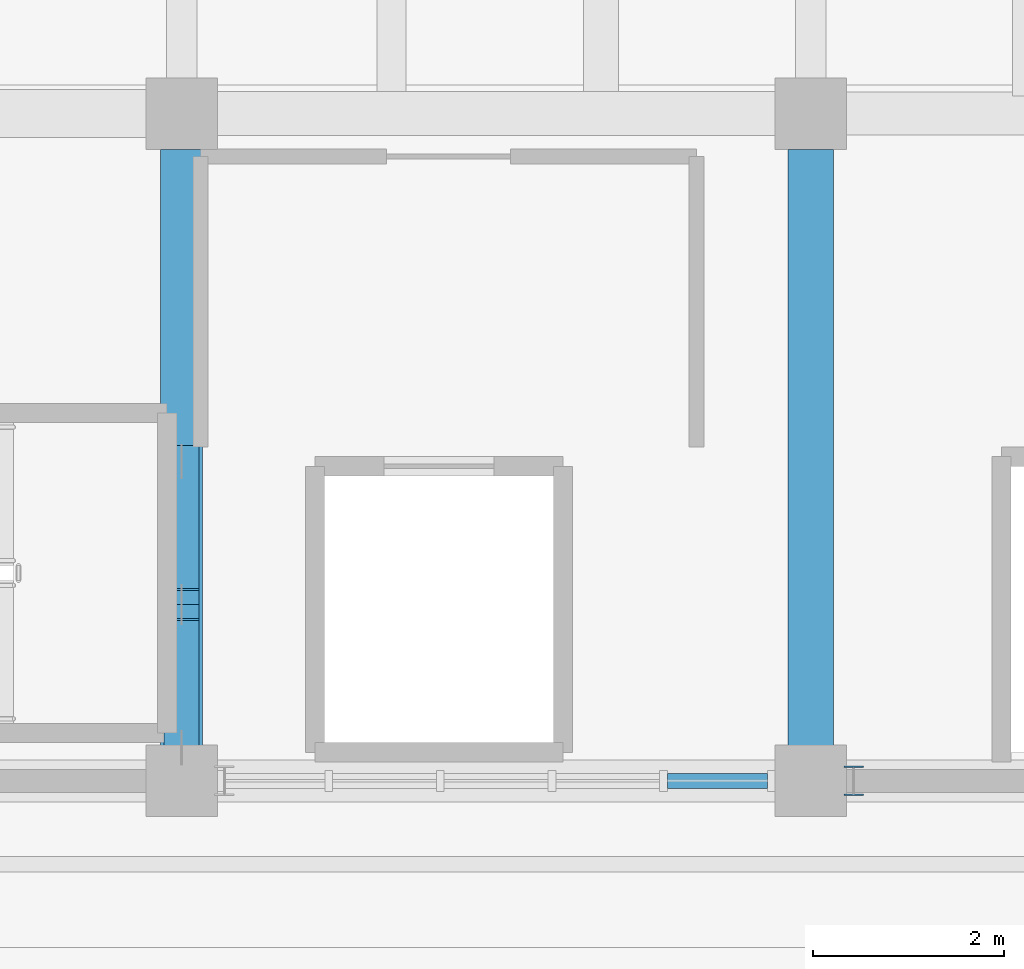
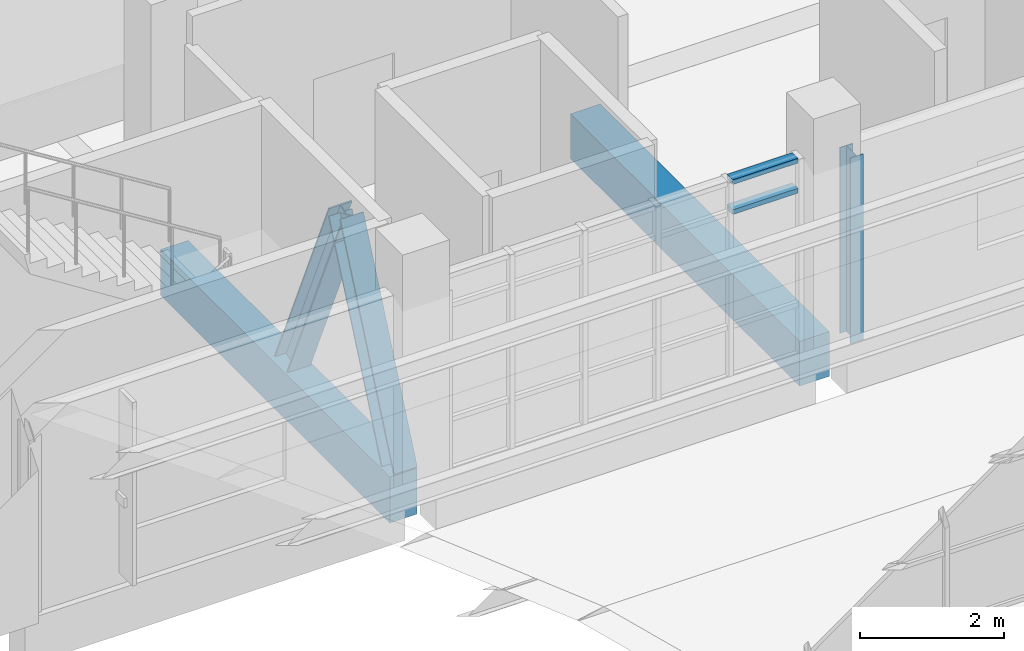
# One storey, part 48 of 92: 5 members, 2 beams, 1 element without a shape of its own.
"""IFC4 building model written with IfcOpenShell, lengths in metres."""

from ifc_helpers import new_model, si_unit, direction, frame, origin, origin_2d, place, context, subcontext, project, spatial, rectangle, i_section, extrude, material, material_profile, profile_set, type_object, element, aggregate, save


model = new_model("IFC4")

# Units and contexts
model_context = context("Model", 3, precision=1e-05, world=origin(), true_north=direction((0.0, 1.0)))
body_context = subcontext(model_context, "Body", "Model", "MODEL_VIEW")
ifc_project = project(units=[si_unit("LENGTHUNIT", "METRE"), si_unit("AREAUNIT", "SQUARE_METRE"), si_unit("VOLUMEUNIT", "CUBIC_METRE"), si_unit("PLANEANGLEUNIT", "RADIAN"), si_unit("MASSUNIT", "GRAM", prefix="KILO")], contexts=[model_context])

# Site, building, storey
site_placement = place(None, origin())
site = spatial("IfcSite", under=ifc_project, at=site_placement, CompositionType="ELEMENT")
building_placement = place(site_placement, origin())
building = spatial("IfcBuilding", under=site, at=building_placement, Name="Ciguamira Faculty of Natural Sciences", CompositionType="ELEMENT")
storey_placement = place(building_placement, frame((0.0, 0.0, 16.800048828125)))
storey = spatial("IfcBuildingStorey", under=building, at=storey_placement, Name="L04", CompositionType="ELEMENT", Elevation=16.800048828125)

# Curtain wall, members
ifc_material_1 = material(Name="Anodized aluminium curtain wall", Category="aluminium")
curtain_wall_type = type_object("IfcCurtainWallType", Name="CurtainWall_CW-03", PredefinedType="USERDEFINED", material=ifc_material_1)
curtain_wall_placement = place(storey_placement, origin())
curtain_wall = element("IfcCurtainWall", 1, at=curtain_wall_placement, inside=storey, type_object=curtain_wall_type, Name="L04 unitised curtain wall 0123", ObjectType="UNITISED CURTAIN WALL", PredefinedType="USERDEFINED")
ifc_material_2 = material(Name="Anodized aluminium transom", Category="aluminium")
ifc_material_profile_1 = material_profile(ifc_material_2, rectangle(XDim=0.080078125, YDim=0.159912109375, at=origin_2d()), Name="ALU-TRN-80X160")
ifc_profile_set_1 = profile_set([ifc_material_profile_1], Name="Anodized aluminium transom")
member_type_1 = type_object("IfcMemberType", Name="CWTransom_CWT-03", PredefinedType="USERDEFINED", material=ifc_profile_set_1)
member_1_placement = place(storey_placement, frame((82.195068359375, 94.0, 2.8349609375), z_axis=(1.0, 0.0, 0.0), x_axis=(0.0, 0.0, 1.0)))
member_1 = element("IfcMember", 2, at=member_1_placement, type_object=member_type_1, Name="CW-03 transom 5.3", ObjectType="TRANSOM", PredefinedType="USERDEFINED", context=body_context, shape_type="SweptSolid", body=[
    extrude(rectangle(XDim=0.080078125, YDim=0.159912109375, at=origin_2d()), origin(), (0.0, 0.0, 1.0), 1.050048828125),
])
member_2_placement = place(storey_placement, frame((82.195068359375, 94.0, 3.344970703125), z_axis=(1.0, 0.0, 0.0), x_axis=(0.0, 0.0, 1.0)))
member_2 = element("IfcMember", 3, at=member_2_placement, type_object=member_type_1, Name="CW-03 transom 5.4", ObjectType="TRANSOM", PredefinedType="USERDEFINED", context=body_context, shape_type="SweptSolid", body=[
    extrude(rectangle(XDim=0.080078125, YDim=0.159912109375, at=origin_2d()), origin(), (0.0, 0.0, 1.0), 1.050048828125),
])
aggregate(curtain_wall, [member_1, member_2])

# Beams
ifc_material_3 = material(Name="Concrete C40/50", Category="concrete")
ifc_material_profile_2 = material_profile(ifc_material_3, rectangle(XDim=0.43994140625, YDim=0.780029296875, at=origin_2d()), Name="RC-BM-440X780")
ifc_profile_set_2 = profile_set([ifc_material_profile_2], Name="Concrete C40/50")
beam_type_1 = type_object("IfcBeamType", Name="RCBeam_BG-06_RC-BM-440X780", PredefinedType="BEAM", material=ifc_profile_set_2)
beam_1_placement = place(storey_placement, frame((77.10009765625, 94.25, -0.39013671875), z_axis=(0.0, 1.0, 0.0), x_axis=(-1.0, 0.0, 0.0)))
element("IfcBeam", 4, at=beam_1_placement, inside=storey, type_object=beam_type_1, Name="L04 core-end brace tie girder 77", PredefinedType="BEAM", context=body_context, shape_type="SweptSolid", body=[
    extrude(rectangle(XDim=0.43994140625, YDim=0.780029296875, at=origin_2d()), origin(), (0.0, 0.0, 1.0), 6.375),
])
ifc_material_profile_3 = material_profile(ifc_material_3, rectangle(XDim=0.47998046875, YDim=0.760009765625, at=origin_2d()), Name="RC-TB-480X760")
ifc_profile_set_3 = profile_set([ifc_material_profile_3], Name="Concrete C40/50")
beam_type_2 = type_object("IfcBeamType", Name="RCBeam_TB-01_RC-TB-480X760", PredefinedType="T_BEAM", material=ifc_profile_set_3)
beam_2_placement = place(storey_placement, frame((83.699951171875, 94.25, -0.380126953125), z_axis=(0.0, 1.0, 0.0), x_axis=(-1.0, 0.0, 0.0)))
element("IfcBeam", 5, at=beam_2_placement, inside=storey, type_object=beam_type_2, Name="L04 girder NS-1411", PredefinedType="T_BEAM", context=body_context, shape_type="SweptSolid", body=[
    extrude(rectangle(XDim=0.47998046875, YDim=0.760009765625, at=origin_2d()), origin(), (0.0, 0.0, 1.0), 6.375),
])

# Members
ifc_material_4 = material(Name="Steel ASTM A992 Grade 50", Category="steel")
ifc_material_profile_4 = material_profile(ifc_material_4, i_section(OverallWidth=0.370849609375, OverallDepth=0.36328125, WebThickness=0.013427734375, FlangeThickness=0.021728515625, at=origin_2d()), Name="W14X109")
ifc_profile_set_4 = profile_set([ifc_material_profile_4], Name="Steel ASTM A992 Grade 50")
member_type_2 = type_object("IfcMemberType", Name="SteelMember_BR-02_W14X109", PredefinedType="BRACE", material=ifc_profile_set_4)
for number, where, z_axis, x_axis, name in (
    (6, (77.10009765625, 94.35009765625, 0.0), (0.0, 0.401669190317, 0.915784833653), (-1.0, 0.0, 0.0), "L04 lateral chevron brace 021"),
    (7, (77.10009765625, 97.35009765625, 0.0), (0.0, -0.401669190317, 0.915784833653), (1.0, 0.0, 0.0), "L04 lateral chevron brace 022"),
):
    element("IfcMember", number, at=place(storey_placement, frame(where, z_axis=z_axis, x_axis=x_axis)), inside=storey, type_object=member_type_2, Name=name, PredefinedType="BRACE", context=body_context, shape_type="SweptSolid", body=[
        extrude(i_section(OverallWidth=0.370849609375, OverallDepth=0.36328125, WebThickness=0.013427734375, FlangeThickness=0.021728515625, at=origin_2d()), origin(), (0.0, 0.0, 1.0), 3.734375),
    ])
ifc_material_profile_5 = material_profile(ifc_material_4, i_section(OverallWidth=0.20458984375, OverallDepth=0.307373046875, WebThickness=0.008544921875, FlangeThickness=0.0146484375, at=origin_2d()), Name="W12X45")
ifc_profile_set_5 = profile_set([ifc_material_profile_5], Name="Steel ASTM A992 Grade 50")
member_type_3 = type_object("IfcMemberType", Name="SteelMember_TS-01_W12X45", PredefinedType="STRUT", material=ifc_profile_set_5)
member_3_placement = place(storey_placement, frame((84.14990234375, 94.0, 0.0), z_axis=(0.0, 0.0, 1.0), x_axis=(1.0, 0.0, 0.0)))
element("IfcMember", 8, at=member_3_placement, inside=storey, type_object=member_type_3, Name="V4 north-light wave 7 clerestory post 84", PredefinedType="STRUT", context=body_context, shape_type="SweptSolid", body=[
    extrude(i_section(OverallWidth=0.20458984375, OverallDepth=0.307373046875, WebThickness=0.008544921875, FlangeThickness=0.0146484375, at=origin_2d()), origin(), (0.0, 0.0, 1.0), 3.14990234375),
])

save(model, "model.ifc")
